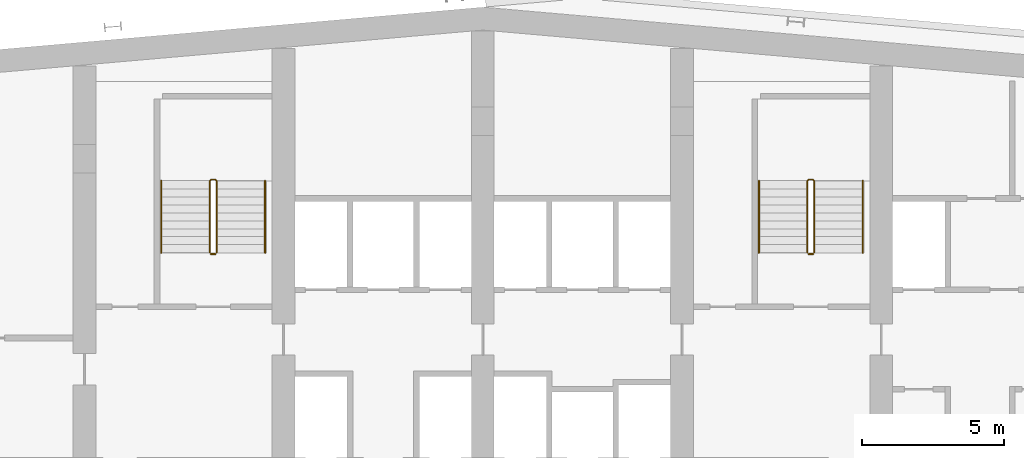
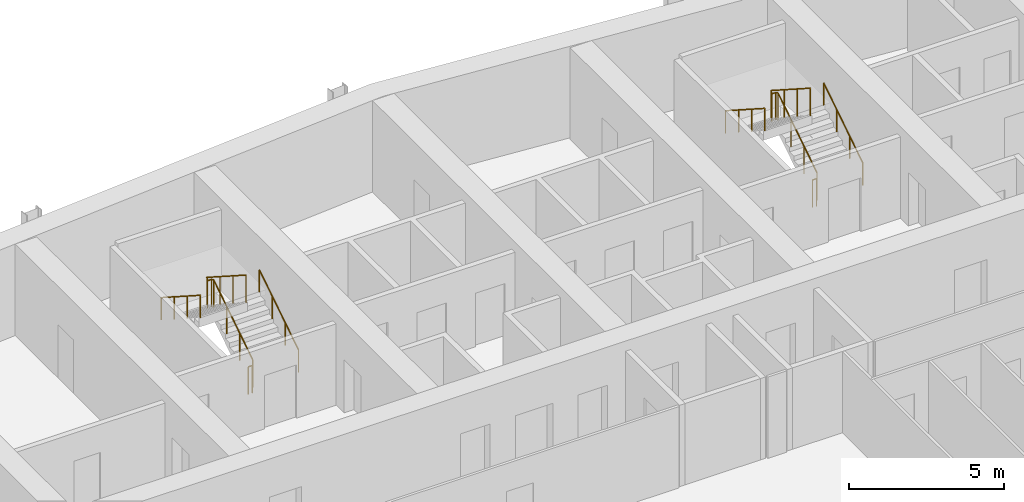
# One storey, part 29 of 30: 8 railings.
"""IFC4 building model written with IfcOpenShell, lengths in metres."""

from ifc_helpers import new_model, si_unit, direction, frame, origin, origin_2d, place, context, subcontext, project, spatial, circle, extrude, material, type_object, element, save


model = new_model("IFC4")

# Units and contexts
model_context = context("Model", 3, precision=1e-05, world=origin(), true_north=direction((0.0, 1.0)))
body_context = subcontext(model_context, "Body", "Model", "MODEL_VIEW")
ifc_project = project(units=[si_unit("LENGTHUNIT", "METRE"), si_unit("AREAUNIT", "SQUARE_METRE"), si_unit("VOLUMEUNIT", "CUBIC_METRE"), si_unit("PLANEANGLEUNIT", "RADIAN"), si_unit("MASSUNIT", "GRAM", prefix="KILO")], contexts=[model_context])

# Site, building, storey
site_placement = place(None, origin())
site = spatial("IfcSite", under=ifc_project, at=site_placement, CompositionType="ELEMENT")
building_placement = place(site_placement, origin())
building = spatial("IfcBuilding", under=site, at=building_placement, Name="Wharfspan Tower", CompositionType="ELEMENT")
storey_placement = place(building_placement, frame((0.0, 0.0, 151.899902)))
storey = spatial("IfcBuildingStorey", under=building, at=storey_placement, Name="L36", CompositionType="ELEMENT", Elevation=151.899902)

# Railings
ifc_material = material(Name="Steel S355J2", Category="steel")
railing_type_1 = type_object("IfcRailingType", Name="Stair guard 1100", PredefinedType="GUARDRAIL", material=ifc_material)
railing_1_placement = place(storey_placement, frame((27.649902, 42.0, 0.180176)))
element("IfcRailing", 1, at=railing_1_placement, inside=storey, type_object=railing_type_1, Name="L36 ST1 stair guard 1", PredefinedType="GUARDRAIL", context=body_context, shape_type="SweptSolid", body=[
    extrude(circle(Radius=0.023926, at=origin_2d()), frame((0.0, 0.0, 1.076172), z_axis=(0.0, 0.8412, 0.540725), x_axis=(-1.0, 0.0, 0.0)), (0.0, 0.0, 1.0), 2.99585),
    extrude(circle(Radius=0.023926, at=origin_2d()), frame((0.0, 2.52002, 2.695801), z_axis=(-0.705376, 0.708834, 0.0), x_axis=(-0.708834, -0.705376, 0.0)), (0.0, 0.0, 1.0), 0.070557),
    extrude(circle(Radius=0.023926, at=origin_2d()), frame((-0.049805, 2.570068, 2.695801), z_axis=(-1.0, 0.0, 0.0), x_axis=(0.0, -1.0, 0.0)), (0.0, 0.0, 1.0), 0.150146),
    extrude(circle(Radius=0.023926, at=origin_2d()), frame((-0.199951, 2.570068, 2.695801), z_axis=(-0.258848, -0.258848, 0.930589), x_axis=(0.707107, -0.707107, 0.0)), (0.0, 0.0, 1.0), 0.193359),
    extrude(circle(Radius=0.023926, at=origin_2d()), frame((-0.25, 2.52002, 2.875977), z_axis=(0.0, -0.841163, 0.540782), x_axis=(1.0, 0.0, 0.0)), (0.0, 0.0, 1.0), 2.99585),
    extrude(circle(Radius=0.020996, at=origin_2d()), origin(), (0.0, 0.0, 1.0), 1.052002),
    extrude(circle(Radius=0.020996, at=origin_2d()), frame((0.0, 0.840088, 0.540039)), (0.0, 0.0, 1.0), 1.052002),
    extrude(circle(Radius=0.020996, at=origin_2d()), frame((0.0, 1.679932, 1.079834)), (0.0, 0.0, 1.0), 1.052002),
    extrude(circle(Radius=0.020996, at=origin_2d()), frame((0.0, 2.52002, 1.619873)), (0.0, 0.0, 1.0), 1.052002),
    extrude(circle(Radius=0.020996, at=origin_2d()), frame((-0.049805, 2.570068, 1.619873)), (0.0, 0.0, 1.0), 1.052002),
    extrude(circle(Radius=0.020996, at=origin_2d()), frame((-0.199951, 2.570068, 1.619873)), (0.0, 0.0, 1.0), 1.052002),
    extrude(circle(Radius=0.020996, at=origin_2d()), frame((-0.25, 2.52002, 1.799805)), (0.0, 0.0, 1.0), 1.052002),
    extrude(circle(Radius=0.020996, at=origin_2d()), frame((-0.25, 1.679932, 2.339844)), (0.0, 0.0, 1.0), 1.052002),
    extrude(circle(Radius=0.020996, at=origin_2d()), frame((-0.25, 0.840088, 2.879883)), (0.0, 0.0, 1.0), 1.052002),
    extrude(circle(Radius=0.020996, at=origin_2d()), frame((-0.25, 0.0, 3.419922)), (0.0, 0.0, 1.0), 1.052002),
])
railing_2_placement = place(storey_placement, frame((27.600098, 41.949951, 0.0)))
element("IfcRailing", 2, at=railing_2_placement, inside=storey, type_object=railing_type_1, Name="L36 ST1 stair guard 2", PredefinedType="GUARDRAIL", context=body_context, shape_type="SweptSolid", body=[
    extrude(circle(Radius=0.023926, at=origin_2d()), frame((0.0, 0.0, 1.076172), z_axis=(-1.0, 0.0, 0.0), x_axis=(0.0, -1.0, 0.0)), (0.0, 0.0, 1.0), 0.150146),
    extrude(circle(Radius=0.020996, at=origin_2d()), origin(), (0.0, 0.0, 1.0), 1.052002),
    extrude(circle(Radius=0.020996, at=origin_2d()), frame((-0.150146, 0.0, 0.0)), (0.0, 0.0, 1.0), 1.052002),
])
railing_3_placement = place(storey_placement, frame((48.649902, 42.0, 0.180176)))
element("IfcRailing", 3, at=railing_3_placement, inside=storey, type_object=railing_type_1, Name="L36 ST2 stair guard 1", PredefinedType="GUARDRAIL", context=body_context, shape_type="SweptSolid", body=[
    extrude(circle(Radius=0.023926, at=origin_2d()), frame((0.0, 0.0, 1.076172), z_axis=(0.0, 0.8412, 0.540725), x_axis=(-1.0, 0.0, 0.0)), (0.0, 0.0, 1.0), 2.99585),
    extrude(circle(Radius=0.023926, at=origin_2d()), frame((0.0, 2.52002, 2.695801), z_axis=(-0.705376, 0.708834, 0.0), x_axis=(-0.708834, -0.705376, 0.0)), (0.0, 0.0, 1.0), 0.070557),
    extrude(circle(Radius=0.023926, at=origin_2d()), frame((-0.049805, 2.570068, 2.695801), z_axis=(-1.0, 0.0, 0.0), x_axis=(0.0, -1.0, 0.0)), (0.0, 0.0, 1.0), 0.150146),
    extrude(circle(Radius=0.023926, at=origin_2d()), frame((-0.199951, 2.570068, 2.695801), z_axis=(-0.258848, -0.258848, 0.930589), x_axis=(0.707107, -0.707107, 0.0)), (0.0, 0.0, 1.0), 0.193359),
    extrude(circle(Radius=0.023926, at=origin_2d()), frame((-0.25, 2.52002, 2.875977), z_axis=(0.0, -0.841163, 0.540782), x_axis=(1.0, 0.0, 0.0)), (0.0, 0.0, 1.0), 2.99585),
    extrude(circle(Radius=0.020996, at=origin_2d()), origin(), (0.0, 0.0, 1.0), 1.052002),
    extrude(circle(Radius=0.020996, at=origin_2d()), frame((0.0, 0.840088, 0.540039)), (0.0, 0.0, 1.0), 1.052002),
    extrude(circle(Radius=0.020996, at=origin_2d()), frame((0.0, 1.679932, 1.079834)), (0.0, 0.0, 1.0), 1.052002),
    extrude(circle(Radius=0.020996, at=origin_2d()), frame((0.0, 2.52002, 1.619873)), (0.0, 0.0, 1.0), 1.052002),
    extrude(circle(Radius=0.020996, at=origin_2d()), frame((-0.049805, 2.570068, 1.619873)), (0.0, 0.0, 1.0), 1.052002),
    extrude(circle(Radius=0.020996, at=origin_2d()), frame((-0.199951, 2.570068, 1.619873)), (0.0, 0.0, 1.0), 1.052002),
    extrude(circle(Radius=0.020996, at=origin_2d()), frame((-0.25, 2.52002, 1.799805)), (0.0, 0.0, 1.0), 1.052002),
    extrude(circle(Radius=0.020996, at=origin_2d()), frame((-0.25, 1.679932, 2.339844)), (0.0, 0.0, 1.0), 1.052002),
    extrude(circle(Radius=0.020996, at=origin_2d()), frame((-0.25, 0.840088, 2.879883)), (0.0, 0.0, 1.0), 1.052002),
    extrude(circle(Radius=0.020996, at=origin_2d()), frame((-0.25, 0.0, 3.419922)), (0.0, 0.0, 1.0), 1.052002),
])
railing_4_placement = place(storey_placement, frame((48.600098, 41.949951, 0.0)))
element("IfcRailing", 4, at=railing_4_placement, inside=storey, type_object=railing_type_1, Name="L36 ST2 stair guard 2", PredefinedType="GUARDRAIL", context=body_context, shape_type="SweptSolid", body=[
    extrude(circle(Radius=0.023926, at=origin_2d()), frame((0.0, 0.0, 1.076172), z_axis=(-1.0, 0.0, 0.0), x_axis=(0.0, -1.0, 0.0)), (0.0, 0.0, 1.0), 0.150146),
    extrude(circle(Radius=0.020996, at=origin_2d()), origin(), (0.0, 0.0, 1.0), 1.052002),
    extrude(circle(Radius=0.020996, at=origin_2d()), frame((-0.150146, 0.0, 0.0)), (0.0, 0.0, 1.0), 1.052002),
])
railing_type_2 = type_object("IfcRailingType", Name="Stair handrail 900", PredefinedType="HANDRAIL", material=ifc_material)
railing_5_placement = place(storey_placement, frame((29.350098, 42.0, 0.180176)))
element("IfcRailing", 5, at=railing_5_placement, inside=storey, type_object=railing_type_2, Name="L36 ST1 stair handrail 1", PredefinedType="HANDRAIL", context=body_context, shape_type="SweptSolid", body=[
    extrude(circle(Radius=0.023926, at=origin_2d()), frame((0.0, 0.0, 0.875977), z_axis=(0.0, 0.8412, 0.540725), x_axis=(-1.0, 0.0, 0.0)), (0.0, 0.0, 1.0), 2.99585),
    extrude(circle(Radius=0.020996, at=origin_2d()), origin(), (0.0, 0.0, 1.0), 0.851807),
    extrude(circle(Radius=0.020996, at=origin_2d()), frame((0.0, 0.840088, 0.540039)), (0.0, 0.0, 1.0), 0.851807),
    extrude(circle(Radius=0.020996, at=origin_2d()), frame((0.0, 1.679932, 1.079834)), (0.0, 0.0, 1.0), 0.851807),
    extrude(circle(Radius=0.020996, at=origin_2d()), frame((0.0, 2.52002, 1.619873)), (0.0, 0.0, 1.0), 0.851807),
])
railing_6_placement = place(storey_placement, frame((25.699951, 44.52002, 1.97998)))
element("IfcRailing", 6, at=railing_6_placement, inside=storey, type_object=railing_type_2, Name="L36 ST1 stair handrail 2", PredefinedType="HANDRAIL", context=body_context, shape_type="SweptSolid", body=[
    extrude(circle(Radius=0.023926, at=origin_2d()), frame((0.0, 0.0, 0.875977), z_axis=(0.0, -0.841163, 0.540782), x_axis=(1.0, 0.0, 0.0)), (0.0, 0.0, 1.0), 2.99585),
    extrude(circle(Radius=0.020996, at=origin_2d()), origin(), (0.0, 0.0, 1.0), 0.851807),
    extrude(circle(Radius=0.020996, at=origin_2d()), frame((0.0, -0.840088, 0.540039)), (0.0, 0.0, 1.0), 0.851807),
    extrude(circle(Radius=0.020996, at=origin_2d()), frame((0.0, -1.679932, 1.080078)), (0.0, 0.0, 1.0), 0.851807),
    extrude(circle(Radius=0.020996, at=origin_2d()), frame((0.0, -2.52002, 1.620117)), (0.0, 0.0, 1.0), 0.851807),
])
railing_7_placement = place(storey_placement, frame((50.350098, 42.0, 0.180176)))
element("IfcRailing", 7, at=railing_7_placement, inside=storey, type_object=railing_type_2, Name="L36 ST2 stair handrail 1", PredefinedType="HANDRAIL", context=body_context, shape_type="SweptSolid", body=[
    extrude(circle(Radius=0.023926, at=origin_2d()), frame((0.0, 0.0, 0.875977), z_axis=(0.0, 0.8412, 0.540725), x_axis=(-1.0, 0.0, 0.0)), (0.0, 0.0, 1.0), 2.99585),
    extrude(circle(Radius=0.020996, at=origin_2d()), origin(), (0.0, 0.0, 1.0), 0.851807),
    extrude(circle(Radius=0.020996, at=origin_2d()), frame((0.0, 0.840088, 0.540039)), (0.0, 0.0, 1.0), 0.851807),
    extrude(circle(Radius=0.020996, at=origin_2d()), frame((0.0, 1.679932, 1.079834)), (0.0, 0.0, 1.0), 0.851807),
    extrude(circle(Radius=0.020996, at=origin_2d()), frame((0.0, 2.52002, 1.619873)), (0.0, 0.0, 1.0), 0.851807),
])
railing_8_placement = place(storey_placement, frame((46.699951, 44.52002, 1.97998)))
element("IfcRailing", 8, at=railing_8_placement, inside=storey, type_object=railing_type_2, Name="L36 ST2 stair handrail 2", PredefinedType="HANDRAIL", context=body_context, shape_type="SweptSolid", body=[
    extrude(circle(Radius=0.023926, at=origin_2d()), frame((0.0, 0.0, 0.875977), z_axis=(0.0, -0.841163, 0.540782), x_axis=(1.0, 0.0, 0.0)), (0.0, 0.0, 1.0), 2.99585),
    extrude(circle(Radius=0.020996, at=origin_2d()), origin(), (0.0, 0.0, 1.0), 0.851807),
    extrude(circle(Radius=0.020996, at=origin_2d()), frame((0.0, -0.840088, 0.540039)), (0.0, 0.0, 1.0), 0.851807),
    extrude(circle(Radius=0.020996, at=origin_2d()), frame((0.0, -1.679932, 1.080078)), (0.0, 0.0, 1.0), 0.851807),
    extrude(circle(Radius=0.020996, at=origin_2d()), frame((0.0, -2.52002, 1.620117)), (0.0, 0.0, 1.0), 0.851807),
])

save(model, "model.ifc")
